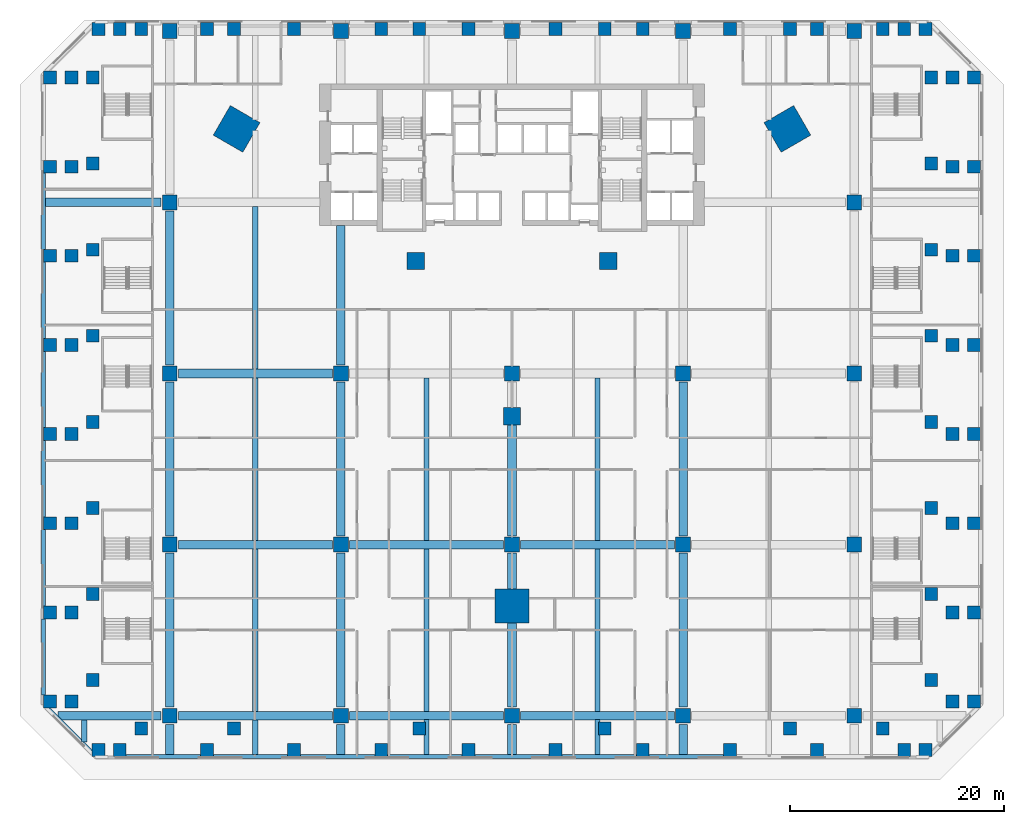
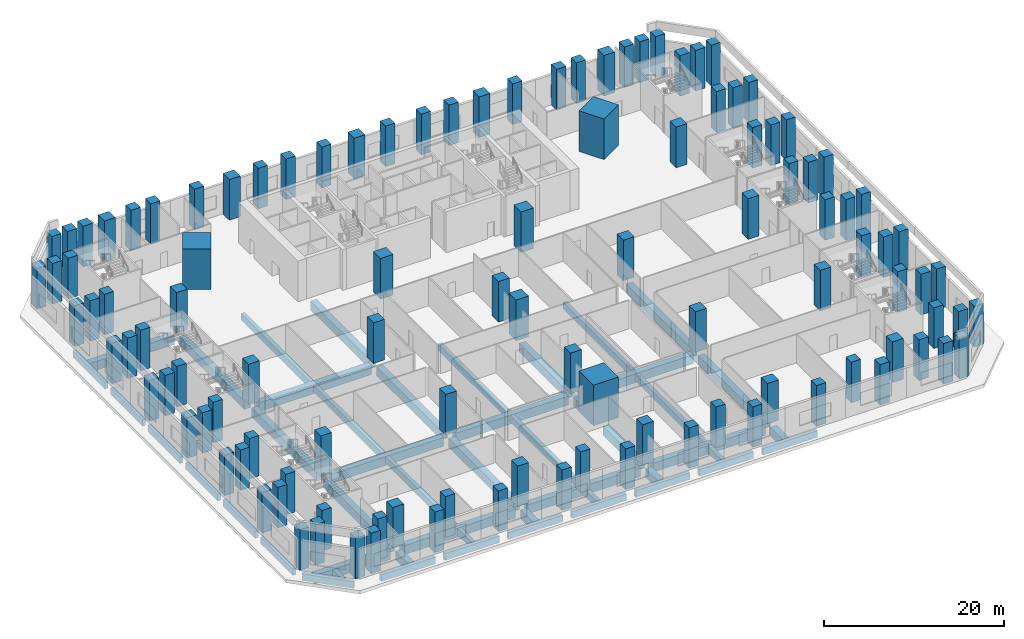
# One storey, part 1 of 22: 112 columns, 49 beams.
"""IFC4 building model written with IfcOpenShell, lengths in metres."""

from ifc_helpers import new_model, si_unit, direction, frame, origin, origin_2d, place, context, subcontext, project, spatial, rectangle, extrude, material, material_profile, profile_set, type_object, element, save


model = new_model("IFC4")

# Units and contexts
model_context = context("Model", 3, precision=1e-05, world=origin(), true_north=direction((0.0, 1.0)))
body_context = subcontext(model_context, "Body", "Model", "MODEL_VIEW")
ifc_project = project(units=[si_unit("LENGTHUNIT", "METRE"), si_unit("AREAUNIT", "SQUARE_METRE"), si_unit("VOLUMEUNIT", "CUBIC_METRE"), si_unit("PLANEANGLEUNIT", "RADIAN"), si_unit("MASSUNIT", "GRAM", prefix="KILO")], contexts=[model_context])

# Site, building, storey
site_placement = place(None, origin())
site = spatial("IfcSite", under=ifc_project, at=site_placement, CompositionType="ELEMENT")
building_placement = place(site_placement, origin())
building = spatial("IfcBuilding", under=site, at=building_placement, Name="Calabash Gate Tower", CompositionType="ELEMENT")
storey_placement = place(building_placement, frame((0.0, 0.0, 29.0)))
storey = spatial("IfcBuildingStorey", under=building, at=storey_placement, Name="L03", CompositionType="ELEMENT", Elevation=29.0)

# Columns
ifc_material_1 = material(Name="Concrete C80/95", Category="concrete")
ifc_material_profile_1 = material_profile(ifc_material_1, rectangle(XDim=1.60009765625, YDim=1.60009765625, at=origin_2d()))
ifc_profile_set_1 = profile_set([ifc_material_profile_1], Name="Concrete C80/95")
column_type_1 = type_object("IfcColumnType", Name="Interior column RC 1600x1600 Concrete C80/95", PredefinedType="COLUMN", material=ifc_profile_set_1)
for number, where, z_axis, x_axis, name in (
    (1, (-9.0, 2.5, 0.0), (0.0, 0.0, 1.0), (1.0, 0.0, 0.0), "Interior column L03 I0"),
    (2, (9.0, 2.5, 0.0), (0.0, 0.0, 1.0), (1.0, 0.0, 0.0), "Interior column L03 I1"),
    (3, (0.0, -12.0, 0.0), (0.0, 0.0, 1.0), (1.0, 0.0, 0.0), "Interior column L03 I2"),
):
    element("IfcColumn", number, at=place(storey_placement, frame(where, z_axis=z_axis, x_axis=x_axis)), inside=storey, type_object=column_type_1, Name=name, PredefinedType="COLUMN", context=body_context, shape_type="SweptSolid", body=[
        extrude(rectangle(XDim=1.60009765625, YDim=1.60009765625, at=origin_2d()), origin(), (0.0, 0.0, 1.0), 5.5),
    ])
ifc_material_2 = material(Name="Concrete C80/95", Category="concrete")
ifc_material_profile_2 = material_profile(ifc_material_2, rectangle(XDim=3.199951171875, YDim=3.199951171875, at=origin_2d()))
ifc_profile_set_2 = profile_set([ifc_material_profile_2], Name="Concrete C80/95")
column_type_2 = type_object("IfcColumnType", Name="Mega column RC 3200x3200 Concrete C80/95", PredefinedType="COLUMN", material=ifc_profile_set_2)
for number, where, z_axis, x_axis, name in (
    (4, (-25.75, 14.866943359375, 0.0), (0.0, 0.0, 1.0), (0.866025386331, -0.50000003023, 0.0), "Mega column L03 NW"),
    (5, (25.75, 14.866943359375, 0.0), (0.0, 0.0, 1.0), (-0.866025386331, -0.50000003023, 0.0), "Mega column L03 NE"),
    (6, (0.0, -29.73291015625, 0.0), (0.0, 0.0, 1.0), (0.0, 1.0, 0.0), "Mega column L03 S"),
):
    element("IfcColumn", number, at=place(storey_placement, frame(where, z_axis=z_axis, x_axis=x_axis)), inside=storey, type_object=column_type_2, Name=name, PredefinedType="COLUMN", context=body_context, shape_type="SweptSolid", body=[
        extrude(rectangle(XDim=3.199951171875, YDim=3.199951171875, at=origin_2d()), origin(), (0.0, 0.0, 1.0), 5.5),
    ])
ifc_material_3 = material(Name="Concrete C80/95", Category="concrete")
ifc_material_profile_3 = material_profile(ifc_material_3, rectangle(XDim=1.39990234375, YDim=1.39990234375, at=origin_2d()))
ifc_profile_set_3 = profile_set([ifc_material_profile_3], Name="Concrete C80/95")
column_type_3 = type_object("IfcColumnType", Name="Podium column RC 1400x1400 Concrete C80/95", PredefinedType="COLUMN", material=ifc_profile_set_3)
for number, where, z_axis, x_axis, name in (
    (7, (-32.0, -40.0, 0.0), (0.0, 0.0, 1.0), (1.0, 0.0, 0.0), "Podium column L03 G2A"),
    (8, (-32.0, -24.0, 0.0), (0.0, 0.0, 1.0), (1.0, 0.0, 0.0), "Podium column L03 G2B"),
    (9, (-32.0, -8.0, 0.0), (0.0, 0.0, 1.0), (1.0, 0.0, 0.0), "Podium column L03 G2C"),
    (10, (-32.0, 8.0, 0.0), (0.0, 0.0, 1.0), (1.0, 0.0, 0.0), "Podium column L03 G2D"),
    (11, (-32.0, 24.0, 0.0), (0.0, 0.0, 1.0), (1.0, 0.0, 0.0), "Podium column L03 G2E"),
    (12, (-16.0, -40.0, 0.0), (0.0, 0.0, 1.0), (1.0, 0.0, 0.0), "Podium column L03 G3A"),
    (13, (-16.0, -24.0, 0.0), (0.0, 0.0, 1.0), (1.0, 0.0, 0.0), "Podium column L03 G3B"),
    (14, (-16.0, -8.0, 0.0), (0.0, 0.0, 1.0), (1.0, 0.0, 0.0), "Podium column L03 G3C"),
    (15, (-16.0, 24.0, 0.0), (0.0, 0.0, 1.0), (1.0, 0.0, 0.0), "Podium column L03 G3E"),
    (16, (0.0, -40.0, 0.0), (0.0, 0.0, 1.0), (1.0, 0.0, 0.0), "Podium column L03 G4A"),
    (17, (0.0, -24.0, 0.0), (0.0, 0.0, 1.0), (1.0, 0.0, 0.0), "Podium column L03 G4B"),
    (18, (0.0, -8.0, 0.0), (0.0, 0.0, 1.0), (1.0, 0.0, 0.0), "Podium column L03 G4C"),
    (19, (0.0, 24.0, 0.0), (0.0, 0.0, 1.0), (1.0, 0.0, 0.0), "Podium column L03 G4E"),
    (20, (16.0, -40.0, 0.0), (0.0, 0.0, 1.0), (1.0, 0.0, 0.0), "Podium column L03 G5A"),
    (21, (16.0, -24.0, 0.0), (0.0, 0.0, 1.0), (1.0, 0.0, 0.0), "Podium column L03 G5B"),
    (22, (16.0, -8.0, 0.0), (0.0, 0.0, 1.0), (1.0, 0.0, 0.0), "Podium column L03 G5C"),
    (23, (16.0, 24.0, 0.0), (0.0, 0.0, 1.0), (1.0, 0.0, 0.0), "Podium column L03 G5E"),
    (24, (32.0, -40.0, 0.0), (0.0, 0.0, 1.0), (1.0, 0.0, 0.0), "Podium column L03 G6A"),
    (25, (32.0, -24.0, 0.0), (0.0, 0.0, 1.0), (1.0, 0.0, 0.0), "Podium column L03 G6B"),
    (26, (32.0, -8.0, 0.0), (0.0, 0.0, 1.0), (1.0, 0.0, 0.0), "Podium column L03 G6C"),
    (27, (32.0, 8.0, 0.0), (0.0, 0.0, 1.0), (1.0, 0.0, 0.0), "Podium column L03 G6D"),
    (28, (32.0, 24.0, 0.0), (0.0, 0.0, 1.0), (1.0, 0.0, 0.0), "Podium column L03 G6E"),
):
    element("IfcColumn", number, at=place(storey_placement, frame(where, z_axis=z_axis, x_axis=x_axis)), inside=storey, type_object=column_type_3, Name=name, PredefinedType="COLUMN", context=body_context, shape_type="SweptSolid", body=[
        extrude(rectangle(XDim=1.39990234375, YDim=1.39990234375, at=origin_2d()), origin(), (0.0, 0.0, 1.0), 5.5),
    ])
ifc_material_4 = material(Name="Concrete C80/95", Category="concrete")
ifc_material_profile_4 = material_profile(ifc_material_4, rectangle(XDim=1.199951171875, YDim=1.199951171875, at=origin_2d()))
ifc_profile_set_4 = profile_set([ifc_material_profile_4], Name="Concrete C80/95")
column_type_4 = type_object("IfcColumnType", Name="Podium edge column RC 1200x1200 Concrete C80/95", PredefinedType="COLUMN", material=ifc_profile_set_4)
for number, where, z_axis, x_axis, name in (
    (29, (-34.6689453125, -41.199951171875, 0.0), (0.0, 0.0, 1.0), (1.0, 0.0, 0.0), "Podium edge column L03 E01"),
    (30, (-39.199951171875, -36.6689453125, 0.0), (0.0, 0.0, 1.0), (1.0, 0.0, 0.0), "Podium edge column L03 E02"),
    (31, (-39.199951171875, 19.6689453125, 0.0), (0.0, 0.0, 1.0), (1.0, 0.0, 0.0), "Podium edge column L03 E03"),
    (32, (-34.6689453125, 24.199951171875, 0.0), (0.0, 0.0, 1.0), (1.0, 0.0, 0.0), "Podium edge column L03 E04"),
    (33, (34.6689453125, 24.199951171875, 0.0), (0.0, 0.0, 1.0), (1.0, 0.0, 0.0), "Podium edge column L03 E05"),
    (34, (39.199951171875, 19.6689453125, 0.0), (0.0, 0.0, 1.0), (1.0, 0.0, 0.0), "Podium edge column L03 E06"),
    (35, (39.199951171875, -36.6689453125, 0.0), (0.0, 0.0, 1.0), (1.0, 0.0, 0.0), "Podium edge column L03 E07"),
    (36, (34.6689453125, -41.199951171875, 0.0), (0.0, 0.0, 1.0), (1.0, 0.0, 0.0), "Podium edge column L03 E08"),
    (37, (-39.199951171875, -28.6201171875, 0.0), (0.0, 0.0, 1.0), (1.0, 0.0, 0.0), "Podium edge column L03 E09"),
    (38, (-39.199951171875, -20.572021484375, 0.0), (0.0, 0.0, 1.0), (1.0, 0.0, 0.0), "Podium edge column L03 E10"),
    (39, (-39.199951171875, -12.52392578125, 0.0), (0.0, 0.0, 1.0), (1.0, 0.0, 0.0), "Podium edge column L03 E11"),
    (40, (-39.199951171875, -4.47607421875, 0.0), (0.0, 0.0, 1.0), (1.0, 0.0, 0.0), "Podium edge column L03 E12"),
    (41, (-39.199951171875, 3.572021484375, 0.0), (0.0, 0.0, 1.0), (1.0, 0.0, 0.0), "Podium edge column L03 E13"),
    (42, (-39.199951171875, 11.6201171875, 0.0), (0.0, 0.0, 1.0), (1.0, 0.0, 0.0), "Podium edge column L03 E14"),
    (43, (-26.001953125, 24.199951171875, 0.0), (0.0, 0.0, 1.0), (1.0, 0.0, 0.0), "Podium edge column L03 E15"),
    (44, (-8.6669921875, 24.199951171875, 0.0), (0.0, 0.0, 1.0), (1.0, 0.0, 0.0), "Podium edge column L03 E16"),
    (45, (8.6669921875, 24.199951171875, 0.0), (0.0, 0.0, 1.0), (1.0, 0.0, 0.0), "Podium edge column L03 E17"),
    (46, (26.001953125, 24.199951171875, 0.0), (0.0, 0.0, 1.0), (1.0, 0.0, 0.0), "Podium edge column L03 E18"),
    (47, (39.199951171875, 11.6201171875, 0.0), (0.0, 0.0, 1.0), (1.0, 0.0, 0.0), "Podium edge column L03 E19"),
    (48, (39.199951171875, 3.572021484375, 0.0), (0.0, 0.0, 1.0), (1.0, 0.0, 0.0), "Podium edge column L03 E20"),
    (49, (39.199951171875, -4.47607421875, 0.0), (0.0, 0.0, 1.0), (1.0, 0.0, 0.0), "Podium edge column L03 E21"),
    (50, (39.199951171875, -12.52392578125, 0.0), (0.0, 0.0, 1.0), (1.0, 0.0, 0.0), "Podium edge column L03 E22"),
    (51, (39.199951171875, -20.572021484375, 0.0), (0.0, 0.0, 1.0), (1.0, 0.0, 0.0), "Podium edge column L03 E23"),
    (52, (39.199951171875, -28.6201171875, 0.0), (0.0, 0.0, 1.0), (1.0, 0.0, 0.0), "Podium edge column L03 E24"),
    (53, (26.001953125, -41.199951171875, 0.0), (0.0, 0.0, 1.0), (1.0, 0.0, 0.0), "Podium edge column L03 E25"),
    (54, (8.6669921875, -41.199951171875, 0.0), (0.0, 0.0, 1.0), (1.0, 0.0, 0.0), "Podium edge column L03 E26"),
    (55, (-8.6669921875, -41.199951171875, 0.0), (0.0, 0.0, 1.0), (1.0, 0.0, 0.0), "Podium edge column L03 E27"),
    (56, (-26.001953125, -41.199951171875, 0.0), (0.0, 0.0, 1.0), (1.0, 0.0, 0.0), "Podium edge column L03 E28"),
    (57, (-36.6689453125, -43.199951171875, 0.0), (0.0, 0.0, 1.0), (1.0, 0.0, 0.0), "Podium edge column L03 E29"),
    (58, (-41.199951171875, -38.6689453125, 0.0), (0.0, 0.0, 1.0), (1.0, 0.0, 0.0), "Podium edge column L03 E30"),
    (59, (-41.199951171875, 19.6689453125, 0.0), (0.0, 0.0, 1.0), (1.0, 0.0, 0.0), "Podium edge column L03 E31"),
    (60, (-36.6689453125, 24.199951171875, 0.0), (0.0, 0.0, 1.0), (1.0, 0.0, 0.0), "Podium edge column L03 E32"),
    (61, (36.6689453125, 24.199951171875, 0.0), (0.0, 0.0, 1.0), (1.0, 0.0, 0.0), "Podium edge column L03 E33"),
    (62, (41.199951171875, 19.6689453125, 0.0), (0.0, 0.0, 1.0), (1.0, 0.0, 0.0), "Podium edge column L03 E34"),
    (63, (41.199951171875, -38.6689453125, 0.0), (0.0, 0.0, 1.0), (1.0, 0.0, 0.0), "Podium edge column L03 E35"),
    (64, (36.6689453125, -43.199951171875, 0.0), (0.0, 0.0, 1.0), (1.0, 0.0, 0.0), "Podium edge column L03 E36"),
    (65, (-41.199951171875, -30.3330078125, 0.0), (0.0, 0.0, 1.0), (1.0, 0.0, 0.0), "Podium edge column L03 E37"),
    (66, (-41.199951171875, -22.0009765625, 0.0), (0.0, 0.0, 1.0), (1.0, 0.0, 0.0), "Podium edge column L03 E38"),
    (67, (-41.199951171875, -13.6669921875, 0.0), (0.0, 0.0, 1.0), (1.0, 0.0, 0.0), "Podium edge column L03 E39"),
    (68, (-41.199951171875, -5.3330078125, 0.0), (0.0, 0.0, 1.0), (1.0, 0.0, 0.0), "Podium edge column L03 E40"),
    (69, (-41.199951171875, 3.0009765625, 0.0), (0.0, 0.0, 1.0), (1.0, 0.0, 0.0), "Podium edge column L03 E41"),
    (70, (-41.199951171875, 11.3369140625, 0.0), (0.0, 0.0, 1.0), (1.0, 0.0, 0.0), "Podium edge column L03 E42"),
    (71, (-28.52001953125, 24.199951171875, 0.0), (0.0, 0.0, 1.0), (1.0, 0.0, 0.0), "Podium edge column L03 E43"),
    (72, (-20.3720703125, 24.199951171875, 0.0), (0.0, 0.0, 1.0), (1.0, 0.0, 0.0), "Podium edge column L03 E44"),
    (73, (-12.222900390625, 24.199951171875, 0.0), (0.0, 0.0, 1.0), (1.0, 0.0, 0.0), "Podium edge column L03 E45"),
    (74, (-4.073974609375, 24.199951171875, 0.0), (0.0, 0.0, 1.0), (1.0, 0.0, 0.0), "Podium edge column L03 E46"),
    (75, (4.073974609375, 24.199951171875, 0.0), (0.0, 0.0, 1.0), (1.0, 0.0, 0.0), "Podium edge column L03 E47"),
    (76, (12.222900390625, 24.199951171875, 0.0), (0.0, 0.0, 1.0), (1.0, 0.0, 0.0), "Podium edge column L03 E48"),
    (77, (20.3720703125, 24.199951171875, 0.0), (0.0, 0.0, 1.0), (1.0, 0.0, 0.0), "Podium edge column L03 E49"),
    (78, (28.52001953125, 24.199951171875, 0.0), (0.0, 0.0, 1.0), (1.0, 0.0, 0.0), "Podium edge column L03 E50"),
    (79, (41.199951171875, 11.3369140625, 0.0), (0.0, 0.0, 1.0), (1.0, 0.0, 0.0), "Podium edge column L03 E51"),
    (80, (41.199951171875, 3.0009765625, 0.0), (0.0, 0.0, 1.0), (1.0, 0.0, 0.0), "Podium edge column L03 E52"),
    (81, (41.199951171875, -5.3330078125, 0.0), (0.0, 0.0, 1.0), (1.0, 0.0, 0.0), "Podium edge column L03 E53"),
    (82, (41.199951171875, -13.6669921875, 0.0), (0.0, 0.0, 1.0), (1.0, 0.0, 0.0), "Podium edge column L03 E54"),
    (83, (41.199951171875, -22.0009765625, 0.0), (0.0, 0.0, 1.0), (1.0, 0.0, 0.0), "Podium edge column L03 E55"),
    (84, (41.199951171875, -30.3330078125, 0.0), (0.0, 0.0, 1.0), (1.0, 0.0, 0.0), "Podium edge column L03 E56"),
    (85, (28.52001953125, -43.199951171875, 0.0), (0.0, 0.0, 1.0), (1.0, 0.0, 0.0), "Podium edge column L03 E57"),
    (86, (20.3720703125, -43.199951171875, 0.0), (0.0, 0.0, 1.0), (1.0, 0.0, 0.0), "Podium edge column L03 E58"),
    (87, (12.222900390625, -43.199951171875, 0.0), (0.0, 0.0, 1.0), (1.0, 0.0, 0.0), "Podium edge column L03 E59"),
    (88, (4.073974609375, -43.199951171875, 0.0), (0.0, 0.0, 1.0), (1.0, 0.0, 0.0), "Podium edge column L03 E60"),
    (89, (-4.073974609375, -43.199951171875, 0.0), (0.0, 0.0, 1.0), (1.0, 0.0, 0.0), "Podium edge column L03 E61"),
    (90, (-12.222900390625, -43.199951171875, 0.0), (0.0, 0.0, 1.0), (1.0, 0.0, 0.0), "Podium edge column L03 E62"),
    (91, (-20.3720703125, -43.199951171875, 0.0), (0.0, 0.0, 1.0), (1.0, 0.0, 0.0), "Podium edge column L03 E63"),
    (92, (-28.52001953125, -43.199951171875, 0.0), (0.0, 0.0, 1.0), (1.0, 0.0, 0.0), "Podium edge column L03 E64"),
    (93, (-38.6689453125, -43.199951171875, 0.0), (0.0, 0.0, 1.0), (1.0, 0.0, 0.0), "Podium edge column L03 E65"),
    (94, (-43.199951171875, -38.6689453125, 0.0), (0.0, 0.0, 1.0), (1.0, 0.0, 0.0), "Podium edge column L03 E66"),
    (95, (-43.199951171875, 19.6689453125, 0.0), (0.0, 0.0, 1.0), (1.0, 0.0, 0.0), "Podium edge column L03 E67"),
    (96, (-38.6689453125, 24.199951171875, 0.0), (0.0, 0.0, 1.0), (1.0, 0.0, 0.0), "Podium edge column L03 E68"),
    (97, (38.6689453125, 24.199951171875, 0.0), (0.0, 0.0, 1.0), (1.0, 0.0, 0.0), "Podium edge column L03 E69"),
    (98, (43.199951171875, 19.6689453125, 0.0), (0.0, 0.0, 1.0), (1.0, 0.0, 0.0), "Podium edge column L03 E70"),
    (99, (43.199951171875, -38.6689453125, 0.0), (0.0, 0.0, 1.0), (1.0, 0.0, 0.0), "Podium edge column L03 E71"),
    (100, (38.6689453125, -43.199951171875, 0.0), (0.0, 0.0, 1.0), (1.0, 0.0, 0.0), "Podium edge column L03 E72"),
    (101, (-43.199951171875, -30.3330078125, 0.0), (0.0, 0.0, 1.0), (1.0, 0.0, 0.0), "Podium edge column L03 E73"),
    (102, (-43.199951171875, -22.0009765625, 0.0), (0.0, 0.0, 1.0), (1.0, 0.0, 0.0), "Podium edge column L03 E74"),
    (103, (-43.199951171875, -13.6669921875, 0.0), (0.0, 0.0, 1.0), (1.0, 0.0, 0.0), "Podium edge column L03 E75"),
    (104, (-43.199951171875, -5.3330078125, 0.0), (0.0, 0.0, 1.0), (1.0, 0.0, 0.0), "Podium edge column L03 E76"),
    (105, (-43.199951171875, 3.0009765625, 0.0), (0.0, 0.0, 1.0), (1.0, 0.0, 0.0), "Podium edge column L03 E77"),
    (106, (-43.199951171875, 11.3369140625, 0.0), (0.0, 0.0, 1.0), (1.0, 0.0, 0.0), "Podium edge column L03 E78"),
    (107, (43.199951171875, 11.3369140625, 0.0), (0.0, 0.0, 1.0), (1.0, 0.0, 0.0), "Podium edge column L03 E79"),
    (108, (43.199951171875, 3.0009765625, 0.0), (0.0, 0.0, 1.0), (1.0, 0.0, 0.0), "Podium edge column L03 E80"),
    (109, (43.199951171875, -5.3330078125, 0.0), (0.0, 0.0, 1.0), (1.0, 0.0, 0.0), "Podium edge column L03 E81"),
    (110, (43.199951171875, -13.6669921875, 0.0), (0.0, 0.0, 1.0), (1.0, 0.0, 0.0), "Podium edge column L03 E82"),
    (111, (43.199951171875, -22.0009765625, 0.0), (0.0, 0.0, 1.0), (1.0, 0.0, 0.0), "Podium edge column L03 E83"),
    (112, (43.199951171875, -30.3330078125, 0.0), (0.0, 0.0, 1.0), (1.0, 0.0, 0.0), "Podium edge column L03 E84"),
):
    element("IfcColumn", number, at=place(storey_placement, frame(where, z_axis=z_axis, x_axis=x_axis)), inside=storey, type_object=column_type_4, Name=name, PredefinedType="COLUMN", context=body_context, shape_type="SweptSolid", body=[
        extrude(rectangle(XDim=1.199951171875, YDim=1.199951171875, at=origin_2d()), origin(), (0.0, 0.0, 1.0), 5.5),
    ])

# Beams
ifc_material_5 = material(Name="Concrete C50/60", Category="concrete")
ifc_material_profile_5 = material_profile(ifc_material_5, rectangle(XDim=0.39990234375, YDim=0.89990234375, at=origin_2d()))
ifc_profile_set_5 = profile_set([ifc_material_profile_5], Name="Concrete C50/60")
beam_type_1 = type_object("IfcBeamType", Name="Edge beam RC 400x900 Concrete C50/60", PredefinedType="BEAM", material=ifc_profile_set_5)
beam_1_placement = place(storey_placement, frame((-39.24609375, -43.470947265625, -0.89990234375), z_axis=(-0.707106781187, 0.707106781187, 0.0), x_axis=(-0.707106781187, -0.707106781187, 0.0)))
element("IfcBeam", 113, at=beam_1_placement, inside=storey, type_object=beam_type_1, Name="Edge beam L03 1", PredefinedType="BEAM", context=body_context, shape_type="SweptSolid", body=[
    extrude(rectangle(XDim=0.39990234375, YDim=0.89990234375, at=origin_2d()), origin(), (0.0, 0.0, 1.0), 5.974853515625),
])
beam_2_placement = place(storey_placement, frame((-43.800048828125, -38.069091796875, -0.89990234375), z_axis=(0.0, 1.0, 0.0), x_axis=(-1.0, 0.0, 0.0)))
element("IfcBeam", 114, at=beam_2_placement, inside=storey, type_object=beam_type_1, Name="Edge beam L03 2", PredefinedType="BEAM", context=body_context, shape_type="SweptSolid", body=[
    extrude(rectangle(XDim=0.39990234375, YDim=0.89990234375, at=origin_2d()), origin(), (0.0, 0.0, 1.0), 7.135986328125),
])
beam_3_placement = place(storey_placement, frame((-43.800048828125, -29.73291015625, -0.89990234375), z_axis=(0.0, 1.0, 0.0), x_axis=(-1.0, 0.0, 0.0)))
element("IfcBeam", 115, at=beam_3_placement, inside=storey, type_object=beam_type_1, Name="Edge beam L03 3", PredefinedType="BEAM", context=body_context, shape_type="SweptSolid", body=[
    extrude(rectangle(XDim=0.39990234375, YDim=0.89990234375, at=origin_2d()), origin(), (0.0, 0.0, 1.0), 7.1318359375),
])
for number, where, z_axis, x_axis, name in (
    (116, (-43.800048828125, -21.40087890625, -0.89990234375), (0.0, 1.0, 0.0), (-1.0, 0.0, 0.0), "Edge beam L03 4"),
    (117, (-43.800048828125, -13.06689453125, -0.89990234375), (0.0, 1.0, 0.0), (-1.0, 0.0, 0.0), "Edge beam L03 5"),
    (118, (-43.800048828125, -4.73291015625, -0.89990234375), (0.0, 1.0, 0.0), (-1.0, 0.0, 0.0), "Edge beam L03 6"),
):
    element("IfcBeam", number, at=place(storey_placement, frame(where, z_axis=z_axis, x_axis=x_axis)), inside=storey, type_object=beam_type_1, Name=name, PredefinedType="BEAM", context=body_context, shape_type="SweptSolid", body=[
        extrude(rectangle(XDim=0.39990234375, YDim=0.89990234375, at=origin_2d()), origin(), (0.0, 0.0, 1.0), 7.1337890625),
    ])
beam_4_placement = place(storey_placement, frame((-43.800048828125, 3.60107421875, -0.89990234375), z_axis=(0.0, 1.0, 0.0), x_axis=(-1.0, 0.0, 0.0)))
element("IfcBeam", 119, at=beam_4_placement, inside=storey, type_object=beam_type_1, Name="Edge beam L03 7", PredefinedType="BEAM", context=body_context, shape_type="SweptSolid", body=[
    extrude(rectangle(XDim=0.39990234375, YDim=0.89990234375, at=origin_2d()), origin(), (0.0, 0.0, 1.0), 7.135986328125),
])
beam_5_placement = place(storey_placement, frame((19.77099609375, -43.800048828125, -0.89990234375), z_axis=(-1.0, 0.0, 0.0), x_axis=(0.0, -1.0, 0.0)))
element("IfcBeam", 120, at=beam_5_placement, inside=storey, type_object=beam_type_1, Name="Edge beam L03 39", PredefinedType="BEAM", context=body_context, shape_type="SweptSolid", body=[
    extrude(rectangle(XDim=0.39990234375, YDim=0.89990234375, at=origin_2d()), origin(), (0.0, 0.0, 1.0), 6.947998046875),
])
beam_6_placement = place(storey_placement, frame((11.623046875, -43.800048828125, -0.89990234375), z_axis=(-1.0, 0.0, 0.0), x_axis=(0.0, -1.0, 0.0)))
element("IfcBeam", 121, at=beam_6_placement, inside=storey, type_object=beam_type_1, Name="Edge beam L03 40", PredefinedType="BEAM", context=body_context, shape_type="SweptSolid", body=[
    extrude(rectangle(XDim=0.39990234375, YDim=0.89990234375, at=origin_2d()), origin(), (0.0, 0.0, 1.0), 6.948974609375),
])
beam_7_placement = place(storey_placement, frame((3.47412109375, -43.800048828125, -0.89990234375), z_axis=(-1.0, 0.0, 0.0), x_axis=(0.0, -1.0, 0.0)))
element("IfcBeam", 122, at=beam_7_placement, inside=storey, type_object=beam_type_1, Name="Edge beam L03 41", PredefinedType="BEAM", context=body_context, shape_type="SweptSolid", body=[
    extrude(rectangle(XDim=0.39990234375, YDim=0.89990234375, at=origin_2d()), origin(), (0.0, 0.0, 1.0), 6.9482421875),
])
beam_8_placement = place(storey_placement, frame((-4.674072265625, -43.800048828125, -0.89990234375), z_axis=(-1.0, 0.0, 0.0), x_axis=(0.0, -1.0, 0.0)))
element("IfcBeam", 123, at=beam_8_placement, inside=storey, type_object=beam_type_1, Name="Edge beam L03 42", PredefinedType="BEAM", context=body_context, shape_type="SweptSolid", body=[
    extrude(rectangle(XDim=0.39990234375, YDim=0.89990234375, at=origin_2d()), origin(), (0.0, 0.0, 1.0), 6.948974609375),
])
for number, where, z_axis, x_axis, name in (
    (124, (-12.822998046875, -43.800048828125, -0.89990234375), (-1.0, 0.0, 0.0), (0.0, -1.0, 0.0), "Edge beam L03 43"),
    (125, (-20.971923828125, -43.800048828125, -0.89990234375), (-1.0, 0.0, 0.0), (0.0, -1.0, 0.0), "Edge beam L03 44"),
):
    element("IfcBeam", number, at=place(storey_placement, frame(where, z_axis=z_axis, x_axis=x_axis)), inside=storey, type_object=beam_type_1, Name=name, PredefinedType="BEAM", context=body_context, shape_type="SweptSolid", body=[
        extrude(rectangle(XDim=0.39990234375, YDim=0.89990234375, at=origin_2d()), origin(), (0.0, 0.0, 1.0), 6.947998046875),
    ])
beam_9_placement = place(storey_placement, frame((-29.1201171875, -43.800048828125, -0.89990234375), z_axis=(-1.0, 0.0, 0.0), x_axis=(0.0, -1.0, 0.0)))
element("IfcBeam", 126, at=beam_9_placement, inside=storey, type_object=beam_type_1, Name="Edge beam L03 45", PredefinedType="BEAM", context=body_context, shape_type="SweptSolid", body=[
    extrude(rectangle(XDim=0.39990234375, YDim=0.89990234375, at=origin_2d()), origin(), (0.0, 0.0, 1.0), 6.948974609375),
])
ifc_material_6 = material(Name="Concrete C50/60", Category="concrete")
ifc_material_profile_6 = material_profile(ifc_material_6, rectangle(XDim=0.5, YDim=0.89990234375, at=origin_2d()))
ifc_profile_set_6 = profile_set([ifc_material_profile_6], Name="Concrete C50/60")
beam_type_2 = type_object("IfcBeamType", Name="Floor beam RC 500x900 Concrete C50/60", PredefinedType="BEAM", material=ifc_profile_set_6)
beam_10_placement = place(storey_placement, frame((-40.0, -42.466064453125, -0.89990234375), z_axis=(0.0, 1.0, 0.0), x_axis=(-1.0, 0.0, 0.0)))
element("IfcBeam", 127, at=beam_10_placement, inside=storey, type_object=beam_type_2, Name="Floor beam L03 1", PredefinedType="BEAM", context=body_context, shape_type="SweptSolid", body=[
    extrude(rectangle(XDim=0.5, YDim=0.89990234375, at=origin_2d()), origin(), (0.0, 0.0, 1.0), 2.066162109375),
])
beam_11_placement = place(storey_placement, frame((-24.0, -43.60009765625, -0.89990234375), z_axis=(0.0, 1.0, 0.0), x_axis=(-1.0, 0.0, 0.0)))
element("IfcBeam", 128, at=beam_11_placement, inside=storey, type_object=beam_type_2, Name="Floor beam L03 2", PredefinedType="BEAM", context=body_context, shape_type="SweptSolid", body=[
    extrude(rectangle(XDim=0.5, YDim=0.89990234375, at=origin_2d()), origin(), (0.0, 0.0, 1.0), 3.2001953125),
])
for number, where, z_axis, x_axis, name in (
    (129, (-24.0, -39.60009765625, -0.89990234375), (0.0, 1.0, 0.0), (-1.0, 0.0, 0.0), "Floor beam L03 3"),
    (130, (-24.0, -23.60009765625, -0.89990234375), (0.0, 1.0, 0.0), (-1.0, 0.0, 0.0), "Floor beam L03 4"),
    (131, (-24.0, -7.60009765625, -0.89990234375), (0.0, 1.0, 0.0), (-1.0, 0.0, 0.0), "Floor beam L03 5"),
):
    element("IfcBeam", number, at=place(storey_placement, frame(where, z_axis=z_axis, x_axis=x_axis)), inside=storey, type_object=beam_type_2, Name=name, PredefinedType="BEAM", context=body_context, shape_type="SweptSolid", body=[
        extrude(rectangle(XDim=0.5, YDim=0.89990234375, at=origin_2d()), origin(), (0.0, 0.0, 1.0), 15.2001953125),
    ])
beam_12_placement = place(storey_placement, frame((-8.0, -43.60009765625, -0.89990234375), z_axis=(0.0, 1.0, 0.0), x_axis=(-1.0, 0.0, 0.0)))
element("IfcBeam", 132, at=beam_12_placement, inside=storey, type_object=beam_type_2, Name="Floor beam L03 8", PredefinedType="BEAM", context=body_context, shape_type="SweptSolid", body=[
    extrude(rectangle(XDim=0.5, YDim=0.89990234375, at=origin_2d()), origin(), (0.0, 0.0, 1.0), 3.232177734375),
])
for number, where, z_axis, x_axis, name in (
    (133, (-8.0, -39.60009765625, -0.89990234375), (0.0, 1.0, 0.0), (-1.0, 0.0, 0.0), "Floor beam L03 9"),
    (134, (-8.0, -23.60009765625, -0.89990234375), (0.0, 1.0, 0.0), (-1.0, 0.0, 0.0), "Floor beam L03 10"),
):
    element("IfcBeam", number, at=place(storey_placement, frame(where, z_axis=z_axis, x_axis=x_axis)), inside=storey, type_object=beam_type_2, Name=name, PredefinedType="BEAM", context=body_context, shape_type="SweptSolid", body=[
        extrude(rectangle(XDim=0.5, YDim=0.89990234375, at=origin_2d()), origin(), (0.0, 0.0, 1.0), 15.2001953125),
    ])
beam_13_placement = place(storey_placement, frame((8.0, -43.60009765625, -0.89990234375), z_axis=(0.0, 1.0, 0.0), x_axis=(-1.0, 0.0, 0.0)))
element("IfcBeam", 135, at=beam_13_placement, inside=storey, type_object=beam_type_2, Name="Floor beam L03 12", PredefinedType="BEAM", context=body_context, shape_type="SweptSolid", body=[
    extrude(rectangle(XDim=0.5, YDim=0.89990234375, at=origin_2d()), origin(), (0.0, 0.0, 1.0), 3.232177734375),
])
for number, where, z_axis, x_axis, name in (
    (136, (8.0, -39.60009765625, -0.89990234375), (0.0, 1.0, 0.0), (-1.0, 0.0, 0.0), "Floor beam L03 13"),
    (137, (8.0, -23.60009765625, -0.89990234375), (0.0, 1.0, 0.0), (-1.0, 0.0, 0.0), "Floor beam L03 14"),
):
    element("IfcBeam", number, at=place(storey_placement, frame(where, z_axis=z_axis, x_axis=x_axis)), inside=storey, type_object=beam_type_2, Name=name, PredefinedType="BEAM", context=body_context, shape_type="SweptSolid", body=[
        extrude(rectangle(XDim=0.5, YDim=0.89990234375, at=origin_2d()), origin(), (0.0, 0.0, 1.0), 15.2001953125),
    ])
ifc_material_7 = material(Name="Concrete C50/60", Category="concrete")
ifc_material_profile_7 = material_profile(ifc_material_7, rectangle(XDim=0.800048828125, YDim=1.199951171875, at=origin_2d()))
ifc_profile_set_7 = profile_set([ifc_material_profile_7], Name="Concrete C50/60")
beam_type_3 = type_object("IfcBeamType", Name="Grid girder RC 800x1200 Concrete C50/60", PredefinedType="BEAM", material=ifc_profile_set_7)
beam_14_placement = place(storey_placement, frame((-32.0, -43.60009765625, -1.050048828125), z_axis=(0.0, 1.0, 0.0), x_axis=(-1.0, 0.0, 0.0)))
element("IfcBeam", 138, at=beam_14_placement, inside=storey, type_object=beam_type_3, Name="Grid girder L03 1", PredefinedType="BEAM", context=body_context, shape_type="SweptSolid", body=[
    extrude(rectangle(XDim=0.800048828125, YDim=1.199951171875, at=origin_2d()), origin(), (0.0, 0.0, 1.0), 2.800048828125),
])
for number, where, z_axis, x_axis, name in (
    (139, (-32.0, -39.199951171875, -1.050048828125), (0.0, 1.0, 0.0), (-1.0, 0.0, 0.0), "Grid girder L03 2"),
    (140, (-32.0, -23.199951171875, -1.050048828125), (0.0, 1.0, 0.0), (-1.0, 0.0, 0.0), "Grid girder L03 3"),
    (141, (-32.0, -7.199951171875, -1.050048828125), (0.0, 1.0, 0.0), (-1.0, 0.0, 0.0), "Grid girder L03 4"),
):
    element("IfcBeam", number, at=place(storey_placement, frame(where, z_axis=z_axis, x_axis=x_axis)), inside=storey, type_object=beam_type_3, Name=name, PredefinedType="BEAM", context=body_context, shape_type="SweptSolid", body=[
        extrude(rectangle(XDim=0.800048828125, YDim=1.199951171875, at=origin_2d()), origin(), (0.0, 0.0, 1.0), 14.39990234375),
    ])
beam_15_placement = place(storey_placement, frame((-16.0, -43.60009765625, -1.050048828125), z_axis=(0.0, 1.0, 0.0), x_axis=(-1.0, 0.0, 0.0)))
element("IfcBeam", 142, at=beam_15_placement, inside=storey, type_object=beam_type_3, Name="Grid girder L03 6", PredefinedType="BEAM", context=body_context, shape_type="SweptSolid", body=[
    extrude(rectangle(XDim=0.800048828125, YDim=1.199951171875, at=origin_2d()), origin(), (0.0, 0.0, 1.0), 2.800048828125),
])
for number, where, z_axis, x_axis, name in (
    (143, (-16.0, -39.199951171875, -1.050048828125), (0.0, 1.0, 0.0), (-1.0, 0.0, 0.0), "Grid girder L03 7"),
    (144, (-16.0, -23.199951171875, -1.050048828125), (0.0, 1.0, 0.0), (-1.0, 0.0, 0.0), "Grid girder L03 8"),
):
    element("IfcBeam", number, at=place(storey_placement, frame(where, z_axis=z_axis, x_axis=x_axis)), inside=storey, type_object=beam_type_3, Name=name, PredefinedType="BEAM", context=body_context, shape_type="SweptSolid", body=[
        extrude(rectangle(XDim=0.800048828125, YDim=1.199951171875, at=origin_2d()), origin(), (0.0, 0.0, 1.0), 14.39990234375),
    ])
beam_16_placement = place(storey_placement, frame((-16.0, -7.199951171875, -1.050048828125), z_axis=(0.0, 1.0, 0.0), x_axis=(-1.0, 0.0, 0.0)))
element("IfcBeam", 145, at=beam_16_placement, inside=storey, type_object=beam_type_3, Name="Grid girder L03 9", PredefinedType="BEAM", context=body_context, shape_type="SweptSolid", body=[
    extrude(rectangle(XDim=0.800048828125, YDim=1.199951171875, at=origin_2d()), origin(), (0.0, 0.0, 1.0), 13.052978515625),
])
beam_17_placement = place(storey_placement, frame((0.0, -43.60009765625, -1.050048828125), z_axis=(0.0, 1.0, 0.0), x_axis=(-1.0, 0.0, 0.0)))
element("IfcBeam", 146, at=beam_17_placement, inside=storey, type_object=beam_type_3, Name="Grid girder L03 11", PredefinedType="BEAM", context=body_context, shape_type="SweptSolid", body=[
    extrude(rectangle(XDim=0.800048828125, YDim=1.199951171875, at=origin_2d()), origin(), (0.0, 0.0, 1.0), 2.800048828125),
])
beam_18_placement = place(storey_placement, frame((0.0, -39.199951171875, -1.050048828125), z_axis=(0.0, 1.0, 0.0), x_axis=(-1.0, 0.0, 0.0)))
element("IfcBeam", 147, at=beam_18_placement, inside=storey, type_object=beam_type_3, Name="Grid girder L03 12", PredefinedType="BEAM", context=body_context, shape_type="SweptSolid", body=[
    extrude(rectangle(XDim=0.800048828125, YDim=1.199951171875, at=origin_2d()), origin(), (0.0, 0.0, 1.0), 7.866943359375),
])
beam_19_placement = place(storey_placement, frame((0.0, -28.133056640625, -1.050048828125), z_axis=(0.0, 1.0, 0.0), x_axis=(-1.0, 0.0, 0.0)))
element("IfcBeam", 148, at=beam_19_placement, inside=storey, type_object=beam_type_3, Name="Grid girder L03 13", PredefinedType="BEAM", context=body_context, shape_type="SweptSolid", body=[
    extrude(rectangle(XDim=0.800048828125, YDim=1.199951171875, at=origin_2d()), origin(), (0.0, 0.0, 1.0), 3.3330078125),
])
beam_20_placement = place(storey_placement, frame((0.0, -23.199951171875, -1.050048828125), z_axis=(0.0, 1.0, 0.0), x_axis=(-1.0, 0.0, 0.0)))
element("IfcBeam", 149, at=beam_20_placement, inside=storey, type_object=beam_type_3, Name="Grid girder L03 14", PredefinedType="BEAM", context=body_context, shape_type="SweptSolid", body=[
    extrude(rectangle(XDim=0.800048828125, YDim=1.199951171875, at=origin_2d()), origin(), (0.0, 0.0, 1.0), 10.39990234375),
])
beam_21_placement = place(storey_placement, frame((16.0, -43.60009765625, -1.050048828125), z_axis=(0.0, 1.0, 0.0), x_axis=(-1.0, 0.0, 0.0)))
element("IfcBeam", 150, at=beam_21_placement, inside=storey, type_object=beam_type_3, Name="Grid girder L03 17", PredefinedType="BEAM", context=body_context, shape_type="SweptSolid", body=[
    extrude(rectangle(XDim=0.800048828125, YDim=1.199951171875, at=origin_2d()), origin(), (0.0, 0.0, 1.0), 2.800048828125),
])
for number, where, z_axis, x_axis, name in (
    (151, (16.0, -39.199951171875, -1.050048828125), (0.0, 1.0, 0.0), (-1.0, 0.0, 0.0), "Grid girder L03 18"),
    (152, (16.0, -23.199951171875, -1.050048828125), (0.0, 1.0, 0.0), (-1.0, 0.0, 0.0), "Grid girder L03 19"),
):
    element("IfcBeam", number, at=place(storey_placement, frame(where, z_axis=z_axis, x_axis=x_axis)), inside=storey, type_object=beam_type_3, Name=name, PredefinedType="BEAM", context=body_context, shape_type="SweptSolid", body=[
        extrude(rectangle(XDim=0.800048828125, YDim=1.199951171875, at=origin_2d()), origin(), (0.0, 0.0, 1.0), 14.39990234375),
    ])
beam_22_placement = place(storey_placement, frame((-42.466064453125, -40.0, -1.050048828125), z_axis=(1.0, 0.0, 0.0), x_axis=(0.0, 1.0, 0.0)))
element("IfcBeam", 153, at=beam_22_placement, inside=storey, type_object=beam_type_3, Name="Grid girder L03 27", PredefinedType="BEAM", context=body_context, shape_type="SweptSolid", body=[
    extrude(rectangle(XDim=0.800048828125, YDim=1.199951171875, at=origin_2d()), origin(), (0.0, 0.0, 1.0), 9.666015625),
])
for number, where, z_axis, x_axis, name in (
    (154, (-31.199951171875, -40.0, -1.050048828125), (1.0, 0.0, 0.0), (0.0, 1.0, 0.0), "Grid girder L03 28"),
    (155, (-15.199951171875, -40.0, -1.050048828125), (1.0, 0.0, 0.0), (0.0, 1.0, 0.0), "Grid girder L03 29"),
    (156, (0.800048828125, -40.0, -1.050048828125), (1.0, 0.0, 0.0), (0.0, 1.0, 0.0), "Grid girder L03 30"),
    (157, (-31.199951171875, -24.0, -1.050048828125), (1.0, 0.0, 0.0), (0.0, 1.0, 0.0), "Grid girder L03 33"),
    (158, (-15.199951171875, -24.0, -1.050048828125), (1.0, 0.0, 0.0), (0.0, 1.0, 0.0), "Grid girder L03 34"),
    (159, (0.800048828125, -24.0, -1.050048828125), (1.0, 0.0, 0.0), (0.0, 1.0, 0.0), "Grid girder L03 35"),
    (160, (-31.199951171875, -8.0, -1.050048828125), (1.0, 0.0, 0.0), (0.0, 1.0, 0.0), "Grid girder L03 37"),
):
    element("IfcBeam", number, at=place(storey_placement, frame(where, z_axis=z_axis, x_axis=x_axis)), inside=storey, type_object=beam_type_3, Name=name, PredefinedType="BEAM", context=body_context, shape_type="SweptSolid", body=[
        extrude(rectangle(XDim=0.800048828125, YDim=1.199951171875, at=origin_2d()), origin(), (0.0, 0.0, 1.0), 14.39990234375),
    ])
beam_23_placement = place(storey_placement, frame((-43.60009765625, 8.0, -1.050048828125), z_axis=(1.0, 0.0, 0.0), x_axis=(0.0, 1.0, 0.0)))
element("IfcBeam", 161, at=beam_23_placement, inside=storey, type_object=beam_type_3, Name="Grid girder L03 41", PredefinedType="BEAM", context=body_context, shape_type="SweptSolid", body=[
    extrude(rectangle(XDim=0.800048828125, YDim=1.199951171875, at=origin_2d()), origin(), (0.0, 0.0, 1.0), 10.800048828125),
])

save(model, "model.ifc")
